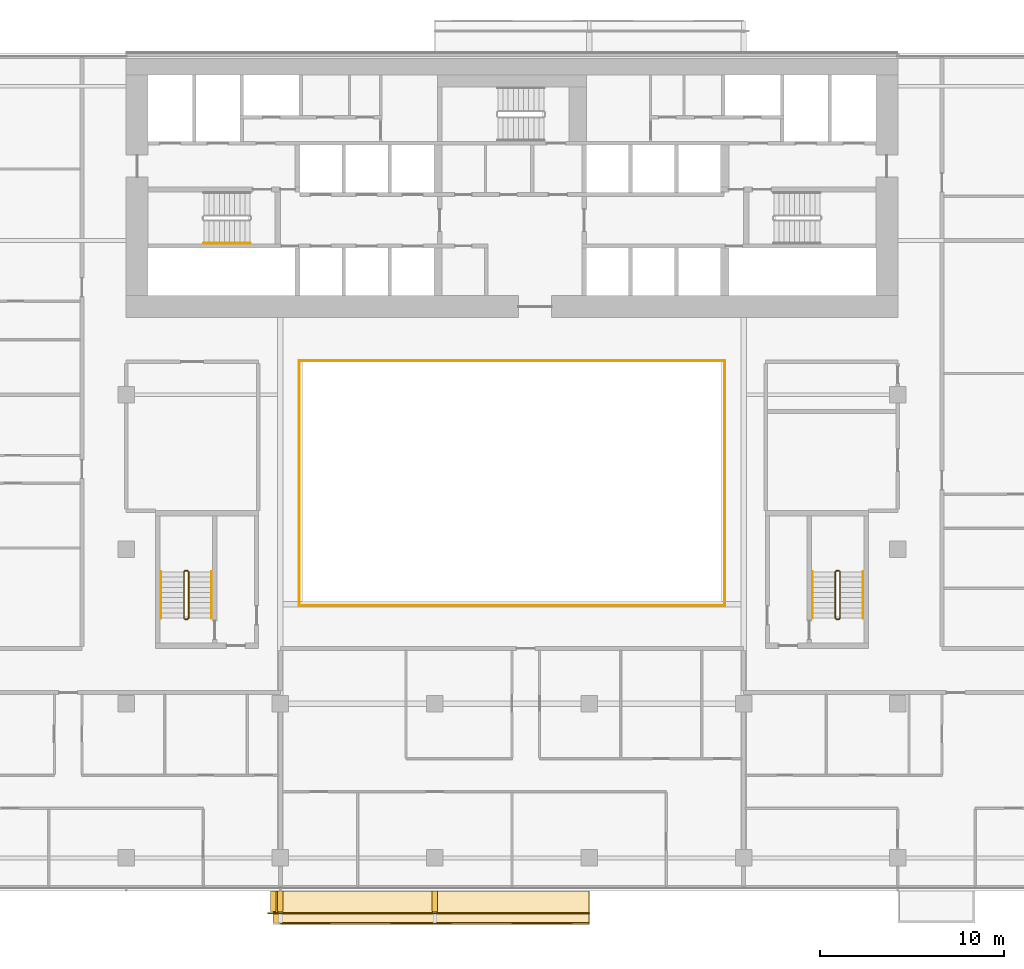
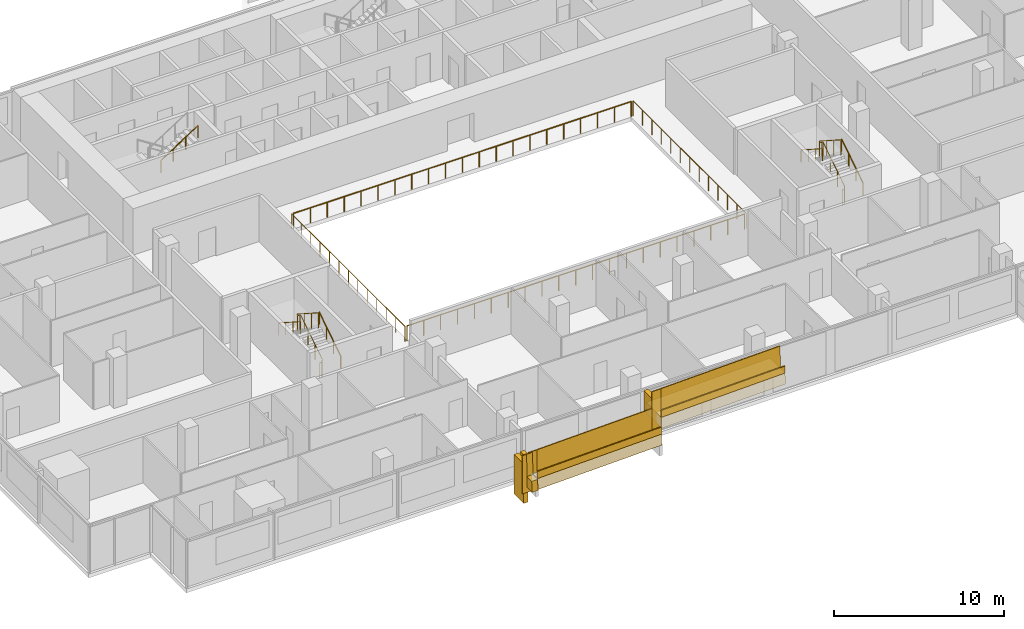
# One storey, part 25 of 26: 17 railings, 8 coverings.
"""IFC4 building model written with IfcOpenShell, lengths in metres."""

from ifc_helpers import new_model, si_unit, direction, frame, origin, origin_2d, place, context, subcontext, project, spatial, polyline, rectangle, circle, outline, extrude, material, layer, layer_set, type_object, element, save


model = new_model("IFC4")

# Units and contexts
model_context = context("Model", 3, precision=1e-05, world=origin(), true_north=direction((0.0, 1.0)))
body_context = subcontext(model_context, "Body", "Model", "MODEL_VIEW")
ifc_project = project(units=[si_unit("LENGTHUNIT", "METRE"), si_unit("AREAUNIT", "SQUARE_METRE"), si_unit("VOLUMEUNIT", "CUBIC_METRE"), si_unit("PLANEANGLEUNIT", "RADIAN"), si_unit("MASSUNIT", "GRAM", prefix="KILO")], contexts=[model_context])

# Site, building, storey
site_placement = place(None, origin())
site = spatial("IfcSite", under=ifc_project, at=site_placement, CompositionType="ELEMENT")
building_placement = place(site_placement, origin())
building = spatial("IfcBuilding", under=site, at=building_placement, Name="Saffron Gate Tower", CompositionType="ELEMENT")
storey_placement = place(building_placement, frame((0.0, 0.0, 62.39990234375)))
storey = spatial("IfcBuildingStorey", under=building, at=storey_placement, Name="L14", CompositionType="ELEMENT", Elevation=62.39990234375)

# Railings
ifc_material_1 = material(Name="Stainless steel and laminated glass", Category="steel")
railing_type_1 = type_object("IfcRailingType", Name="AG1 Atrium edge guard 1100", PredefinedType="GUARDRAIL", material=ifc_material_1)
railing_1_placement = place(storey_placement, frame((76.02001953125, 45.5400390625, 0.0)))
element("IfcRailing", 1, at=railing_1_placement, inside=storey, type_object=railing_type_1, Name="Guard A3-1", PredefinedType="GUARDRAIL", context=body_context, shape_type="SweptSolid", body=[
    extrude(circle(Radius=0.02392578125, at=origin_2d()), frame((0.0, 0.0, 1.076171875), z_axis=(0.0, 1.0, 0.0), x_axis=(-1.0, 0.0, 0.0)), (0.0, 0.0, 1.0), 13.320068359375),
    extrude(circle(Radius=0.02099609375, at=origin_2d()), origin(), (0.0, 0.0, 1.0), 1.052001953125),
    extrude(circle(Radius=0.02099609375, at=origin_2d()), frame((0.0, 1.110107421875, 0.0)), (0.0, 0.0, 1.0), 1.052001953125),
    extrude(circle(Radius=0.02099609375, at=origin_2d()), frame((0.0, 2.219970703125, 0.0)), (0.0, 0.0, 1.0), 1.052001953125),
    extrude(circle(Radius=0.02099609375, at=origin_2d()), frame((0.0, 3.330078125, 0.0)), (0.0, 0.0, 1.0), 1.052001953125),
    extrude(circle(Radius=0.02099609375, at=origin_2d()), frame((0.0, 4.43994140625, 0.0)), (0.0, 0.0, 1.0), 1.052001953125),
    extrude(circle(Radius=0.02099609375, at=origin_2d()), frame((0.0, 5.550048828125, 0.0)), (0.0, 0.0, 1.0), 1.052001953125),
    extrude(circle(Radius=0.02099609375, at=origin_2d()), frame((0.0, 6.66015625, 0.0)), (0.0, 0.0, 1.0), 1.052001953125),
    extrude(circle(Radius=0.02099609375, at=origin_2d()), frame((0.0, 7.77001953125, 0.0)), (0.0, 0.0, 1.0), 1.052001953125),
    extrude(circle(Radius=0.02099609375, at=origin_2d()), frame((0.0, 8.880126953125, 0.0)), (0.0, 0.0, 1.0), 1.052001953125),
    extrude(circle(Radius=0.02099609375, at=origin_2d()), frame((0.0, 9.989990234375, 0.0)), (0.0, 0.0, 1.0), 1.052001953125),
    extrude(circle(Radius=0.02099609375, at=origin_2d()), frame((0.0, 11.10009765625, 0.0)), (0.0, 0.0, 1.0), 1.052001953125),
    extrude(circle(Radius=0.02099609375, at=origin_2d()), frame((0.0, 12.2099609375, 0.0)), (0.0, 0.0, 1.0), 1.052001953125),
    extrude(circle(Radius=0.02099609375, at=origin_2d()), frame((0.0, 13.320068359375, 0.0)), (0.0, 0.0, 1.0), 1.052001953125),
])
railing_2_placement = place(storey_placement, frame((76.139892578125, 58.860107421875, 0.0)))
element("IfcRailing", 2, at=railing_2_placement, inside=storey, type_object=railing_type_1, Name="Guard A3-2", PredefinedType="GUARDRAIL", context=body_context, shape_type="SweptSolid", body=[
    extrude(circle(Radius=0.02392578125, at=origin_2d()), frame((0.0, 0.0, 1.076171875), z_axis=(1.0, 0.0, 0.0), x_axis=(0.0, 1.0, 0.0)), (0.0, 0.0, 1.0), 22.920166015625),
    extrude(circle(Radius=0.02099609375, at=origin_2d()), origin(), (0.0, 0.0, 1.0), 1.052001953125),
    extrude(circle(Radius=0.02099609375, at=origin_2d()), frame((1.14599609375, 0.0, 0.0)), (0.0, 0.0, 1.0), 1.052001953125),
    extrude(circle(Radius=0.02099609375, at=origin_2d()), frame((2.2919921875, 0.0, 0.0)), (0.0, 0.0, 1.0), 1.052001953125),
    extrude(circle(Radius=0.02099609375, at=origin_2d()), frame((3.43798828125, 0.0, 0.0)), (0.0, 0.0, 1.0), 1.052001953125),
    extrude(circle(Radius=0.02099609375, at=origin_2d()), frame((4.583984375, 0.0, 0.0)), (0.0, 0.0, 1.0), 1.052001953125),
    extrude(circle(Radius=0.02099609375, at=origin_2d()), frame((5.72998046875, 0.0, 0.0)), (0.0, 0.0, 1.0), 1.052001953125),
    extrude(circle(Radius=0.02099609375, at=origin_2d()), frame((6.8759765625, 0.0, 0.0)), (0.0, 0.0, 1.0), 1.052001953125),
    extrude(circle(Radius=0.02099609375, at=origin_2d()), frame((8.02197265625, 0.0, 0.0)), (0.0, 0.0, 1.0), 1.052001953125),
    extrude(circle(Radius=0.02099609375, at=origin_2d()), frame((9.16796875, 0.0, 0.0)), (0.0, 0.0, 1.0), 1.052001953125),
    extrude(circle(Radius=0.02099609375, at=origin_2d()), frame((10.31396484375, 0.0, 0.0)), (0.0, 0.0, 1.0), 1.052001953125),
    extrude(circle(Radius=0.02099609375, at=origin_2d()), frame((11.4599609375, 0.0, 0.0)), (0.0, 0.0, 1.0), 1.052001953125),
    extrude(circle(Radius=0.02099609375, at=origin_2d()), frame((12.606201171875, 0.0, 0.0)), (0.0, 0.0, 1.0), 1.052001953125),
    extrude(circle(Radius=0.02099609375, at=origin_2d()), frame((13.752197265625, 0.0, 0.0)), (0.0, 0.0, 1.0), 1.052001953125),
    extrude(circle(Radius=0.02099609375, at=origin_2d()), frame((14.898193359375, 0.0, 0.0)), (0.0, 0.0, 1.0), 1.052001953125),
    extrude(circle(Radius=0.02099609375, at=origin_2d()), frame((16.044189453125, 0.0, 0.0)), (0.0, 0.0, 1.0), 1.052001953125),
    extrude(circle(Radius=0.02099609375, at=origin_2d()), frame((17.190185546875, 0.0, 0.0)), (0.0, 0.0, 1.0), 1.052001953125),
    extrude(circle(Radius=0.02099609375, at=origin_2d()), frame((18.336181640625, 0.0, 0.0)), (0.0, 0.0, 1.0), 1.052001953125),
    extrude(circle(Radius=0.02099609375, at=origin_2d()), frame((19.482177734375, 0.0, 0.0)), (0.0, 0.0, 1.0), 1.052001953125),
    extrude(circle(Radius=0.02099609375, at=origin_2d()), frame((20.628173828125, 0.0, 0.0)), (0.0, 0.0, 1.0), 1.052001953125),
    extrude(circle(Radius=0.02099609375, at=origin_2d()), frame((21.774169921875, 0.0, 0.0)), (0.0, 0.0, 1.0), 1.052001953125),
    extrude(circle(Radius=0.02099609375, at=origin_2d()), frame((22.920166015625, 0.0, 0.0)), (0.0, 0.0, 1.0), 1.052001953125),
])
railing_3_placement = place(storey_placement, frame((99.179931640625, 58.860107421875, 0.0)))
element("IfcRailing", 3, at=railing_3_placement, inside=storey, type_object=railing_type_1, Name="Guard A3-3", PredefinedType="GUARDRAIL", context=body_context, shape_type="SweptSolid", body=[
    extrude(circle(Radius=0.02392578125, at=origin_2d()), frame((0.0, 0.0, 1.076171875), z_axis=(0.0, -1.0, 0.0), x_axis=(1.0, 0.0, 0.0)), (0.0, 0.0, 1.0), 13.320068359375),
    extrude(circle(Radius=0.02099609375, at=origin_2d()), origin(), (0.0, 0.0, 1.0), 1.052001953125),
    extrude(circle(Radius=0.02099609375, at=origin_2d()), frame((0.0, -1.110107421875, 0.0)), (0.0, 0.0, 1.0), 1.052001953125),
    extrude(circle(Radius=0.02099609375, at=origin_2d()), frame((0.0, -2.219970703125, 0.0)), (0.0, 0.0, 1.0), 1.052001953125),
    extrude(circle(Radius=0.02099609375, at=origin_2d()), frame((0.0, -3.330078125, 0.0)), (0.0, 0.0, 1.0), 1.052001953125),
    extrude(circle(Radius=0.02099609375, at=origin_2d()), frame((0.0, -4.43994140625, 0.0)), (0.0, 0.0, 1.0), 1.052001953125),
    extrude(circle(Radius=0.02099609375, at=origin_2d()), frame((0.0, -5.550048828125, 0.0)), (0.0, 0.0, 1.0), 1.052001953125),
    extrude(circle(Radius=0.02099609375, at=origin_2d()), frame((0.0, -6.66015625, 0.0)), (0.0, 0.0, 1.0), 1.052001953125),
    extrude(circle(Radius=0.02099609375, at=origin_2d()), frame((0.0, -7.77001953125, 0.0)), (0.0, 0.0, 1.0), 1.052001953125),
    extrude(circle(Radius=0.02099609375, at=origin_2d()), frame((0.0, -8.880126953125, 0.0)), (0.0, 0.0, 1.0), 1.052001953125),
    extrude(circle(Radius=0.02099609375, at=origin_2d()), frame((0.0, -9.989990234375, 0.0)), (0.0, 0.0, 1.0), 1.052001953125),
    extrude(circle(Radius=0.02099609375, at=origin_2d()), frame((0.0, -11.10009765625, 0.0)), (0.0, 0.0, 1.0), 1.052001953125),
    extrude(circle(Radius=0.02099609375, at=origin_2d()), frame((0.0, -12.2099609375, 0.0)), (0.0, 0.0, 1.0), 1.052001953125),
    extrude(circle(Radius=0.02099609375, at=origin_2d()), frame((0.0, -13.320068359375, 0.0)), (0.0, 0.0, 1.0), 1.052001953125),
])
railing_4_placement = place(storey_placement, frame((99.06005859375, 45.5400390625, 0.0)))
element("IfcRailing", 4, at=railing_4_placement, inside=storey, type_object=railing_type_1, Name="Guard A3-4", PredefinedType="GUARDRAIL", context=body_context, shape_type="SweptSolid", body=[
    extrude(circle(Radius=0.02392578125, at=origin_2d()), frame((0.0, 0.0, 1.076171875), z_axis=(-1.0, 0.0, 0.0), x_axis=(0.0, -1.0, 0.0)), (0.0, 0.0, 1.0), 22.920166015625),
    extrude(circle(Radius=0.02099609375, at=origin_2d()), origin(), (0.0, 0.0, 1.0), 1.052001953125),
    extrude(circle(Radius=0.02099609375, at=origin_2d()), frame((-1.14599609375, 0.0, 0.0)), (0.0, 0.0, 1.0), 1.052001953125),
    extrude(circle(Radius=0.02099609375, at=origin_2d()), frame((-2.2919921875, 0.0, 0.0)), (0.0, 0.0, 1.0), 1.052001953125),
    extrude(circle(Radius=0.02099609375, at=origin_2d()), frame((-3.43798828125, 0.0, 0.0)), (0.0, 0.0, 1.0), 1.052001953125),
    extrude(circle(Radius=0.02099609375, at=origin_2d()), frame((-4.583984375, 0.0, 0.0)), (0.0, 0.0, 1.0), 1.052001953125),
    extrude(circle(Radius=0.02099609375, at=origin_2d()), frame((-5.72998046875, 0.0, 0.0)), (0.0, 0.0, 1.0), 1.052001953125),
    extrude(circle(Radius=0.02099609375, at=origin_2d()), frame((-6.8759765625, 0.0, 0.0)), (0.0, 0.0, 1.0), 1.052001953125),
    extrude(circle(Radius=0.02099609375, at=origin_2d()), frame((-8.02197265625, 0.0, 0.0)), (0.0, 0.0, 1.0), 1.052001953125),
    extrude(circle(Radius=0.02099609375, at=origin_2d()), frame((-9.16796875, 0.0, 0.0)), (0.0, 0.0, 1.0), 1.052001953125),
    extrude(circle(Radius=0.02099609375, at=origin_2d()), frame((-10.31396484375, 0.0, 0.0)), (0.0, 0.0, 1.0), 1.052001953125),
    extrude(circle(Radius=0.02099609375, at=origin_2d()), frame((-11.4599609375, 0.0, 0.0)), (0.0, 0.0, 1.0), 1.052001953125),
    extrude(circle(Radius=0.02099609375, at=origin_2d()), frame((-12.606201171875, 0.0, 0.0)), (0.0, 0.0, 1.0), 1.052001953125),
    extrude(circle(Radius=0.02099609375, at=origin_2d()), frame((-13.752197265625, 0.0, 0.0)), (0.0, 0.0, 1.0), 1.052001953125),
    extrude(circle(Radius=0.02099609375, at=origin_2d()), frame((-14.898193359375, 0.0, 0.0)), (0.0, 0.0, 1.0), 1.052001953125),
    extrude(circle(Radius=0.02099609375, at=origin_2d()), frame((-16.044189453125, 0.0, 0.0)), (0.0, 0.0, 1.0), 1.052001953125),
    extrude(circle(Radius=0.02099609375, at=origin_2d()), frame((-17.190185546875, 0.0, 0.0)), (0.0, 0.0, 1.0), 1.052001953125),
    extrude(circle(Radius=0.02099609375, at=origin_2d()), frame((-18.336181640625, 0.0, 0.0)), (0.0, 0.0, 1.0), 1.052001953125),
    extrude(circle(Radius=0.02099609375, at=origin_2d()), frame((-19.482177734375, 0.0, 0.0)), (0.0, 0.0, 1.0), 1.052001953125),
    extrude(circle(Radius=0.02099609375, at=origin_2d()), frame((-20.628173828125, 0.0, 0.0)), (0.0, 0.0, 1.0), 1.052001953125),
    extrude(circle(Radius=0.02099609375, at=origin_2d()), frame((-21.774169921875, 0.0, 0.0)), (0.0, 0.0, 1.0), 1.052001953125),
    extrude(circle(Radius=0.02099609375, at=origin_2d()), frame((-22.920166015625, 0.0, 0.0)), (0.0, 0.0, 1.0), 1.052001953125),
])
railing_type_2 = type_object("IfcRailingType", Name="CR1 Stair guard 1100", PredefinedType="GUARDRAIL", material=ifc_material_1)
railing_5_placement = place(storey_placement, frame((69.800048828125, 44.800048828125, 0.0)))
element("IfcRailing", 5, at=railing_5_placement, inside=storey, type_object=railing_type_2, Name="L14 ST-D stair guard 1", PredefinedType="GUARDRAIL", context=body_context, shape_type="SweptSolid", body=[
    extrude(circle(Radius=0.02392578125, at=origin_2d()), frame((0.0, 0.0, 1.076171875), z_axis=(1.0, 0.0, 0.0), x_axis=(0.0, 1.0, 0.0)), (0.0, 0.0, 1.0), 0.14990234375),
    extrude(circle(Radius=0.02392578125, at=origin_2d()), frame((0.14990234375, 0.0, 1.076171875), z_axis=(0.258543844998, 0.258543844998, 0.930757841991), x_axis=(-0.707106781187, 0.707106781187, 0.0)), (0.0, 0.0, 1.0), 0.193603515625),
    extrude(circle(Radius=0.02392578125, at=origin_2d()), frame((0.199951171875, 0.050048828125, 1.25634765625), z_axis=(0.0, 0.841199657755, 0.540724639528), x_axis=(-1.0, 0.0, 0.0)), (0.0, 0.0, 1.0), 2.995849609375),
    extrude(circle(Radius=0.02392578125, at=origin_2d()), frame((0.199951171875, 2.570068359375, 2.8759765625), z_axis=(-0.708833529934, 0.705375805398, 0.0), x_axis=(-0.705375805398, -0.708833529934, 0.0)), (0.0, 0.0, 1.0), 0.070556640625),
    extrude(circle(Radius=0.02392578125, at=origin_2d()), frame((0.14990234375, 2.619873046875, 2.8759765625), z_axis=(-1.0, 0.0, 0.0), x_axis=(0.0, -1.0, 0.0)), (0.0, 0.0, 1.0), 0.14990234375),
    extrude(circle(Radius=0.02392578125, at=origin_2d()), frame((0.0, 2.619873046875, 2.8759765625), z_axis=(-0.258932105505, -0.257669022063, 0.930892496375), x_axis=(0.705375805398, -0.708833529934, 0.0)), (0.0, 0.0, 1.0), 0.193359375),
    extrude(circle(Radius=0.02392578125, at=origin_2d()), frame((-0.050048828125, 2.570068359375, 3.05615234375), z_axis=(0.0, -0.841162588446, 0.540782303519), x_axis=(1.0, 0.0, 0.0)), (0.0, 0.0, 1.0), 2.995849609375),
    extrude(circle(Radius=0.02099609375, at=origin_2d()), origin(), (0.0, 0.0, 1.0), 1.052001953125),
    extrude(circle(Radius=0.02099609375, at=origin_2d()), frame((0.14990234375, 0.0, 0.0)), (0.0, 0.0, 1.0), 1.052001953125),
    extrude(circle(Radius=0.02099609375, at=origin_2d()), frame((0.199951171875, 0.050048828125, 0.18017578125)), (0.0, 0.0, 1.0), 1.052001953125),
    extrude(circle(Radius=0.02099609375, at=origin_2d()), frame((0.199951171875, 0.89013671875, 0.72021484375)), (0.0, 0.0, 1.0), 1.052001953125),
    extrude(circle(Radius=0.02099609375, at=origin_2d()), frame((0.199951171875, 1.72998046875, 1.260009765625)), (0.0, 0.0, 1.0), 1.052001953125),
    extrude(circle(Radius=0.02099609375, at=origin_2d()), frame((0.199951171875, 2.570068359375, 1.800048828125)), (0.0, 0.0, 1.0), 1.052001953125),
    extrude(circle(Radius=0.02099609375, at=origin_2d()), frame((0.14990234375, 2.619873046875, 1.800048828125)), (0.0, 0.0, 1.0), 1.052001953125),
    extrude(circle(Radius=0.02099609375, at=origin_2d()), frame((0.0, 2.619873046875, 1.800048828125)), (0.0, 0.0, 1.0), 1.052001953125),
    extrude(circle(Radius=0.02099609375, at=origin_2d()), frame((-0.050048828125, 2.570068359375, 1.97998046875)), (0.0, 0.0, 1.0), 1.052001953125),
    extrude(circle(Radius=0.02099609375, at=origin_2d()), frame((-0.050048828125, 1.72998046875, 2.52001953125)), (0.0, 0.0, 1.0), 1.052001953125),
    extrude(circle(Radius=0.02099609375, at=origin_2d()), frame((-0.050048828125, 0.89013671875, 3.06005859375)), (0.0, 0.0, 1.0), 1.052001953125),
    extrude(circle(Radius=0.02099609375, at=origin_2d()), frame((-0.050048828125, 0.050048828125, 3.60009765625)), (0.0, 0.0, 1.0), 1.052001953125),
])
railing_6_placement = place(storey_placement, frame((105.25, 44.800048828125, 0.0)))
element("IfcRailing", 6, at=railing_6_placement, inside=storey, type_object=railing_type_2, Name="L14 ST-E stair guard 1", PredefinedType="GUARDRAIL", context=body_context, shape_type="SweptSolid", body=[
    extrude(circle(Radius=0.02392578125, at=origin_2d()), frame((0.0, 0.0, 1.076171875), z_axis=(1.0, 0.0, 0.0), x_axis=(0.0, 1.0, 0.0)), (0.0, 0.0, 1.0), 0.14990234375),
    extrude(circle(Radius=0.02392578125, at=origin_2d()), frame((0.14990234375, 0.0, 1.076171875), z_axis=(0.258543844998, 0.258543844998, 0.930757841991), x_axis=(-0.707106781187, 0.707106781187, 0.0)), (0.0, 0.0, 1.0), 0.193603515625),
    extrude(circle(Radius=0.02392578125, at=origin_2d()), frame((0.199951171875, 0.050048828125, 1.25634765625), z_axis=(0.0, 0.841199657755, 0.540724639528), x_axis=(-1.0, 0.0, 0.0)), (0.0, 0.0, 1.0), 2.995849609375),
    extrude(circle(Radius=0.02392578125, at=origin_2d()), frame((0.199951171875, 2.570068359375, 2.8759765625), z_axis=(-0.708833529934, 0.705375805398, 0.0), x_axis=(-0.705375805398, -0.708833529934, 0.0)), (0.0, 0.0, 1.0), 0.070556640625),
    extrude(circle(Radius=0.02392578125, at=origin_2d()), frame((0.14990234375, 2.619873046875, 2.8759765625), z_axis=(-1.0, 0.0, 0.0), x_axis=(0.0, -1.0, 0.0)), (0.0, 0.0, 1.0), 0.14990234375),
    extrude(circle(Radius=0.02392578125, at=origin_2d()), frame((0.0, 2.619873046875, 2.8759765625), z_axis=(-0.258932105505, -0.257669022063, 0.930892496375), x_axis=(0.705375805398, -0.708833529934, 0.0)), (0.0, 0.0, 1.0), 0.193359375),
    extrude(circle(Radius=0.02392578125, at=origin_2d()), frame((-0.050048828125, 2.570068359375, 3.05615234375), z_axis=(0.0, -0.841162588446, 0.540782303519), x_axis=(1.0, 0.0, 0.0)), (0.0, 0.0, 1.0), 2.995849609375),
    extrude(circle(Radius=0.02099609375, at=origin_2d()), origin(), (0.0, 0.0, 1.0), 1.052001953125),
    extrude(circle(Radius=0.02099609375, at=origin_2d()), frame((0.14990234375, 0.0, 0.0)), (0.0, 0.0, 1.0), 1.052001953125),
    extrude(circle(Radius=0.02099609375, at=origin_2d()), frame((0.199951171875, 0.050048828125, 0.18017578125)), (0.0, 0.0, 1.0), 1.052001953125),
    extrude(circle(Radius=0.02099609375, at=origin_2d()), frame((0.199951171875, 0.89013671875, 0.72021484375)), (0.0, 0.0, 1.0), 1.052001953125),
    extrude(circle(Radius=0.02099609375, at=origin_2d()), frame((0.199951171875, 1.72998046875, 1.260009765625)), (0.0, 0.0, 1.0), 1.052001953125),
    extrude(circle(Radius=0.02099609375, at=origin_2d()), frame((0.199951171875, 2.570068359375, 1.800048828125)), (0.0, 0.0, 1.0), 1.052001953125),
    extrude(circle(Radius=0.02099609375, at=origin_2d()), frame((0.14990234375, 2.619873046875, 1.800048828125)), (0.0, 0.0, 1.0), 1.052001953125),
    extrude(circle(Radius=0.02099609375, at=origin_2d()), frame((0.0, 2.619873046875, 1.800048828125)), (0.0, 0.0, 1.0), 1.052001953125),
    extrude(circle(Radius=0.02099609375, at=origin_2d()), frame((-0.050048828125, 2.570068359375, 1.97998046875)), (0.0, 0.0, 1.0), 1.052001953125),
    extrude(circle(Radius=0.02099609375, at=origin_2d()), frame((-0.050048828125, 1.72998046875, 2.52001953125)), (0.0, 0.0, 1.0), 1.052001953125),
    extrude(circle(Radius=0.02099609375, at=origin_2d()), frame((-0.050048828125, 0.89013671875, 3.06005859375)), (0.0, 0.0, 1.0), 1.052001953125),
    extrude(circle(Radius=0.02099609375, at=origin_2d()), frame((-0.050048828125, 0.050048828125, 3.60009765625)), (0.0, 0.0, 1.0), 1.052001953125),
])
ifc_material_2 = material(Name="Stainless steel", Category="steel")
railing_type_3 = type_object("IfcRailingType", Name="CR2 Stair handrail 900", PredefinedType="HANDRAIL", material=ifc_material_2)
railing_7_placement = place(storey_placement, frame((70.830078125, 65.25, 1.97998046875)))
element("IfcRailing", 7, at=railing_7_placement, inside=storey, type_object=railing_type_3, Name="L14 ST-A stair handrail 2", PredefinedType="HANDRAIL", context=body_context, shape_type="SweptSolid", body=[
    extrude(circle(Radius=0.02392578125, at=origin_2d()), frame((0.0, 0.0, 0.8759765625), z_axis=(0.841162588446, 0.0, 0.540782303519), x_axis=(0.0, 1.0, 0.0)), (0.0, 0.0, 1.0), 2.995849609375),
    extrude(circle(Radius=0.02099609375, at=origin_2d()), origin(), (0.0, 0.0, 1.0), 0.851806640625),
    extrude(circle(Radius=0.02099609375, at=origin_2d()), frame((0.840087890625, 0.0, 0.5400390625)), (0.0, 0.0, 1.0), 0.851806640625),
    extrude(circle(Radius=0.02099609375, at=origin_2d()), frame((1.679931640625, 0.0, 1.080078125)), (0.0, 0.0, 1.0), 0.851806640625),
    extrude(circle(Radius=0.02099609375, at=origin_2d()), frame((2.52001953125, 0.0, 1.6201171875)), (0.0, 0.0, 1.0), 0.851806640625),
])
railing_8_placement = place(storey_placement, frame((71.25, 44.85009765625, 0.18017578125)))
element("IfcRailing", 8, at=railing_8_placement, inside=storey, type_object=railing_type_3, Name="L14 ST-D stair handrail 1", PredefinedType="HANDRAIL", context=body_context, shape_type="SweptSolid", body=[
    extrude(circle(Radius=0.02392578125, at=origin_2d()), frame((0.0, 0.0, 0.8759765625), z_axis=(0.0, 0.841199657755, 0.540724639528), x_axis=(-1.0, 0.0, 0.0)), (0.0, 0.0, 1.0), 2.995849609375),
    extrude(circle(Radius=0.02099609375, at=origin_2d()), origin(), (0.0, 0.0, 1.0), 0.851806640625),
    extrude(circle(Radius=0.02099609375, at=origin_2d()), frame((0.0, 0.840087890625, 0.5400390625)), (0.0, 0.0, 1.0), 0.851806640625),
    extrude(circle(Radius=0.02099609375, at=origin_2d()), frame((0.0, 1.679931640625, 1.079833984375)), (0.0, 0.0, 1.0), 0.851806640625),
    extrude(circle(Radius=0.02099609375, at=origin_2d()), frame((0.0, 2.52001953125, 1.619873046875)), (0.0, 0.0, 1.0), 0.851806640625),
])
railing_9_placement = place(storey_placement, frame((68.5, 47.3701171875, 1.97998046875)))
element("IfcRailing", 9, at=railing_9_placement, inside=storey, type_object=railing_type_3, Name="L14 ST-D stair handrail 2", PredefinedType="HANDRAIL", context=body_context, shape_type="SweptSolid", body=[
    extrude(circle(Radius=0.02392578125, at=origin_2d()), frame((0.0, 0.0, 0.8759765625), z_axis=(0.0, -0.841162588446, 0.540782303519), x_axis=(1.0, 0.0, 0.0)), (0.0, 0.0, 1.0), 2.995849609375),
    extrude(circle(Radius=0.02099609375, at=origin_2d()), origin(), (0.0, 0.0, 1.0), 0.851806640625),
    extrude(circle(Radius=0.02099609375, at=origin_2d()), frame((0.0, -0.840087890625, 0.5400390625)), (0.0, 0.0, 1.0), 0.851806640625),
    extrude(circle(Radius=0.02099609375, at=origin_2d()), frame((0.0, -1.679931640625, 1.080078125)), (0.0, 0.0, 1.0), 0.851806640625),
    extrude(circle(Radius=0.02099609375, at=origin_2d()), frame((0.0, -2.52001953125, 1.6201171875)), (0.0, 0.0, 1.0), 0.851806640625),
])
railing_10_placement = place(storey_placement, frame((106.699951171875, 44.85009765625, 0.18017578125)))
element("IfcRailing", 10, at=railing_10_placement, inside=storey, type_object=railing_type_3, Name="L14 ST-E stair handrail 1", PredefinedType="HANDRAIL", context=body_context, shape_type="SweptSolid", body=[
    extrude(circle(Radius=0.02392578125, at=origin_2d()), frame((0.0, 0.0, 0.8759765625), z_axis=(0.0, 0.841199657755, 0.540724639528), x_axis=(-1.0, 0.0, 0.0)), (0.0, 0.0, 1.0), 2.995849609375),
    extrude(circle(Radius=0.02099609375, at=origin_2d()), origin(), (0.0, 0.0, 1.0), 0.851806640625),
    extrude(circle(Radius=0.02099609375, at=origin_2d()), frame((0.0, 0.840087890625, 0.5400390625)), (0.0, 0.0, 1.0), 0.851806640625),
    extrude(circle(Radius=0.02099609375, at=origin_2d()), frame((0.0, 1.679931640625, 1.079833984375)), (0.0, 0.0, 1.0), 0.851806640625),
    extrude(circle(Radius=0.02099609375, at=origin_2d()), frame((0.0, 2.52001953125, 1.619873046875)), (0.0, 0.0, 1.0), 0.851806640625),
])
railing_11_placement = place(storey_placement, frame((103.949951171875, 47.3701171875, 1.97998046875)))
element("IfcRailing", 11, at=railing_11_placement, inside=storey, type_object=railing_type_3, Name="L14 ST-E stair handrail 2", PredefinedType="HANDRAIL", context=body_context, shape_type="SweptSolid", body=[
    extrude(circle(Radius=0.02392578125, at=origin_2d()), frame((0.0, 0.0, 0.8759765625), z_axis=(0.0, -0.841162588446, 0.540782303519), x_axis=(1.0, 0.0, 0.0)), (0.0, 0.0, 1.0), 2.995849609375),
    extrude(circle(Radius=0.02099609375, at=origin_2d()), origin(), (0.0, 0.0, 1.0), 0.851806640625),
    extrude(circle(Radius=0.02099609375, at=origin_2d()), frame((0.0, -0.840087890625, 0.5400390625)), (0.0, 0.0, 1.0), 0.851806640625),
    extrude(circle(Radius=0.02099609375, at=origin_2d()), frame((0.0, -1.679931640625, 1.080078125)), (0.0, 0.0, 1.0), 0.851806640625),
    extrude(circle(Radius=0.02099609375, at=origin_2d()), frame((0.0, -2.52001953125, 1.6201171875)), (0.0, 0.0, 1.0), 0.851806640625),
])

# Coverings
ifc_material_3 = material(Name="Timber, thermally modified ash", Category="wood")
ifc_layer_1 = layer(ifc_material_3, 0.800048828125)
ifc_layer_set_1 = layer_set([ifc_layer_1], Name="LD1 ledge timber")
covering_type_1 = type_object("IfcCoveringType", Name="LD1 ledge timber", PredefinedType="CLADDING", material=ifc_layer_set_1)
covering_1_placement = place(storey_placement, frame((74.60009765625, 30.0, 0.975341796875), z_axis=(-0.028681724025, 0.0, 0.999588594726), x_axis=(0.999588594726, 0.0, 0.028681724025)))
element("IfcCovering", 12, at=covering_1_placement, inside=storey, type_object=covering_type_1, Name="LEDGE", PredefinedType="CLADDING", context=body_context, shape_type="SweptSolid", body=[
    extrude(outline(polyline([(0.0, 0.0), (0.40006693339621563, 0.0), (0.40006693339621563, -1.8000488281250004), (0.0, -1.8000488281250004), (0.0, 0.0)])), origin(), (0.0, 0.0, -1.0), 0.800048828125),
])
covering_2_placement = place(storey_placement, frame((75.0, 30.0, 1.0439453125), z_axis=(-0.028791175352, 0.0, 0.999585448184), x_axis=(0.999585448184, 0.0, 0.028791175352)))
element("IfcCovering", 13, at=covering_2_placement, inside=storey, type_object=covering_type_1, Name="LEDGE", PredefinedType="CLADDING", context=body_context, shape_type="SweptSolid", body=[
    extrude(outline(polyline([(0.0, 0.0), (8.403385982666892, 0.0), (8.403385982666892, -1.800048828125), (0.0, -1.800048828125), (0.0, 0.0)])), origin(), (0.0, 0.0, -1.0), 0.800048828125),
])
covering_3_placement = place(storey_placement, frame((83.39990234375, 30.0, 2.486328125), z_axis=(-0.028790339263, 0.0, 0.999585472266), x_axis=(0.999585472266, 0.0, 0.028790339263)))
element("IfcCovering", 14, at=covering_3_placement, inside=storey, type_object=covering_type_1, Name="LEDGE", PredefinedType="CLADDING", context=body_context, shape_type="SweptSolid", body=[
    extrude(outline(polyline([(0.0, 0.0), (8.403630022085892, 0.0), (8.403630022085892, -1.800048828125), (0.0, -1.800048828125), (0.0, 0.0)])), origin(), (0.0, 0.0, -1.0), 0.800048828125),
])
ifc_layer_2 = layer(ifc_material_3, 0.080078125)
ifc_layer_set_2 = layer_set([ifc_layer_2], Name="LD2 ledge planter trough")
covering_type_2 = type_object("IfcCoveringType", Name="LD2 ledge planter trough", PredefinedType="CLADDING", material=ifc_layer_set_2)
covering_4_placement = place(storey_placement, frame((75.0, 28.199951171875, 1.0439453125), z_axis=(0.0, -1.0, 0.0), x_axis=(0.999585448184, 0.0, 0.028791175352)))
element("IfcCovering", 15, at=covering_4_placement, inside=storey, type_object=covering_type_2, Name="LEDGE planter trough", PredefinedType="CLADDING", context=body_context, shape_type="SweptSolid", body=[
    extrude(outline(polyline([(0.0, 0.0), (8.403385982666892, 0.0), (8.417781570342743, 0.49979272409216496), (0.014395587675851172, 0.4997927240921649), (0.0, 0.0)])), origin(), (0.0, 0.0, -1.0), 0.080078125),
])
covering_5_placement = place(storey_placement, frame((83.39990234375, 28.199951171875, 2.486328125), z_axis=(0.0, -1.0, 0.0), x_axis=(0.999585472266, 0.0, 0.028790339263)))
element("IfcCovering", 16, at=covering_5_placement, inside=storey, type_object=covering_type_2, Name="LEDGE planter trough", PredefinedType="CLADDING", context=body_context, shape_type="SweptSolid", body=[
    extrude(outline(polyline([(0.0, 0.0), (8.403630022085892, 0.0), (8.418025191717298, 0.4997927361329725), (0.014395169631405694, 0.4997927361329725), (0.0, 0.0)])), origin(), (0.0, 0.0, -1.0), 0.080078125),
])
ifc_layer_3 = layer(ifc_material_3, 0.300048828125)
ifc_layer_set_3 = layer_set([ifc_layer_3], Name="LD3 ledge riser fin")
covering_type_3 = type_object("IfcCoveringType", Name="LD3 ledge riser fin", PredefinedType="CLADDING", material=ifc_layer_set_3)
covering_6_placement = place(storey_placement, frame((74.60009765625, 29.43994140625, -0.9677734375), z_axis=(0.0, 0.0, 1.0), x_axis=(1.0, 0.0, 0.0)))
element("IfcCovering", 17, at=covering_6_placement, inside=storey, type_object=covering_type_3, Name="LEDGE riser fin", PredefinedType="CLADDING", context=body_context, shape_type="SweptSolid", body=[
    extrude(rectangle(XDim=0.300048828125, YDim=1.1201171875, at=origin_2d()), origin(), (0.0, 0.0, 1.0), 2.84326171875),
])
covering_7_placement = place(storey_placement, frame((75.0, 29.43994140625, 0.18701171875), z_axis=(0.0, 0.0, 1.0), x_axis=(1.0, 0.0, 0.0)))
element("IfcCovering", 18, at=covering_7_placement, inside=storey, type_object=covering_type_3, Name="LEDGE riser fin", PredefinedType="CLADDING", context=body_context, shape_type="SweptSolid", body=[
    extrude(rectangle(XDim=0.300048828125, YDim=1.1201171875, at=origin_2d()), origin(), (0.0, 0.0, 1.0), 1.757080078125),
])
covering_8_placement = place(storey_placement, frame((83.39990234375, 29.43994140625, 0.486083984375), z_axis=(0.0, 0.0, 1.0), x_axis=(1.0, 0.0, 0.0)))
element("IfcCovering", 19, at=covering_8_placement, inside=storey, type_object=covering_type_3, Name="LEDGE riser fin", PredefinedType="CLADDING", context=body_context, shape_type="SweptSolid", body=[
    extrude(rectangle(XDim=0.300048828125, YDim=1.1201171875, at=origin_2d()), origin(), (0.0, 0.0, 1.0), 2.900390625),
])

# Railings
railing_type_4 = type_object("IfcRailingType", Name="LG1 ledge balustrade", PredefinedType="BALUSTRADE", material=ifc_material_3)
railing_12_placement = place(storey_placement, frame((74.60009765625, 28.800048828125, 0.975341796875)))
element("IfcRailing", 20, at=railing_12_placement, inside=storey, type_object=railing_type_4, Name="LEDGE BALUSTRADE", PredefinedType="BALUSTRADE", context=body_context, shape_type="SweptSolid", body=[
    extrude(rectangle(XDim=0.06005859375, YDim=1.60009765625, at=origin_2d()), frame((0.0, 0.0, 0.800048828125), z_axis=(0.999588594726, 0.0, 0.028681724025), x_axis=(0.0, 1.0, 0.0)), (0.0, 0.0, 1.0), 0.400146484375),
])
railing_13_placement = place(storey_placement, frame((74.300048828125, 28.800048828125, -0.16796875)))
element("IfcRailing", 21, at=railing_13_placement, inside=storey, type_object=railing_type_4, Name="LEDGE BALUSTRADE", PredefinedType="BALUSTRADE", context=body_context, shape_type="SweptSolid", body=[
    extrude(rectangle(XDim=0.06005859375, YDim=2.7431640625, at=origin_2d()), frame((0.0, 0.0, 1.37158203125), z_axis=(1.0, 0.0, 0.0), x_axis=(0.0, 1.0, 0.0)), (0.0, 0.0, 1.0), 0.599853515625),
])
railing_14_placement = place(storey_placement, frame((75.0, 28.800048828125, 1.0439453125)))
element("IfcRailing", 22, at=railing_14_placement, inside=storey, type_object=railing_type_4, Name="LEDGE BALUSTRADE", PredefinedType="BALUSTRADE", context=body_context, shape_type="SweptSolid", body=[
    extrude(rectangle(XDim=0.06005859375, YDim=1.60009765625, at=origin_2d()), frame((0.0, 0.0, 0.800048828125), z_axis=(0.999585448184, 0.0, 0.028791175352), x_axis=(0.0, 1.0, 0.0)), (0.0, 0.0, 1.0), 8.4033203125),
])
railing_15_placement = place(storey_placement, frame((74.699951171875, 28.800048828125, 0.98681640625)))
element("IfcRailing", 23, at=railing_15_placement, inside=storey, type_object=railing_type_4, Name="LEDGE BALUSTRADE", PredefinedType="BALUSTRADE", context=body_context, shape_type="SweptSolid", body=[
    extrude(rectangle(XDim=0.06005859375, YDim=1.6572265625, at=origin_2d()), frame((0.0, 0.0, 0.82861328125), z_axis=(1.0, 0.0, 0.0), x_axis=(0.0, 1.0, 0.0)), (0.0, 0.0, 1.0), 0.60009765625),
])
railing_16_placement = place(storey_placement, frame((83.39990234375, 28.800048828125, 2.486328125)))
element("IfcRailing", 24, at=railing_16_placement, inside=storey, type_object=railing_type_4, Name="LEDGE BALUSTRADE", PredefinedType="BALUSTRADE", context=body_context, shape_type="SweptSolid", body=[
    extrude(rectangle(XDim=0.06005859375, YDim=1.60009765625, at=origin_2d()), frame((0.0, 0.0, 0.800048828125), z_axis=(0.999585472266, 0.0, 0.028790339263), x_axis=(0.0, 1.0, 0.0)), (0.0, 0.0, 1.0), 8.403564453125),
])
railing_17_placement = place(storey_placement, frame((83.10009765625, 28.800048828125, 1.285888671875)))
element("IfcRailing", 25, at=railing_17_placement, inside=storey, type_object=railing_type_4, Name="LEDGE BALUSTRADE", PredefinedType="BALUSTRADE", context=body_context, shape_type="SweptSolid", body=[
    extrude(rectangle(XDim=0.06005859375, YDim=2.80029296875, at=origin_2d()), frame((0.0, 0.0, 1.400146484375), z_axis=(1.0, 0.0, 0.0), x_axis=(0.0, 1.0, 0.0)), (0.0, 0.0, 1.0), 0.599853515625),
])

save(model, "model.ifc")
